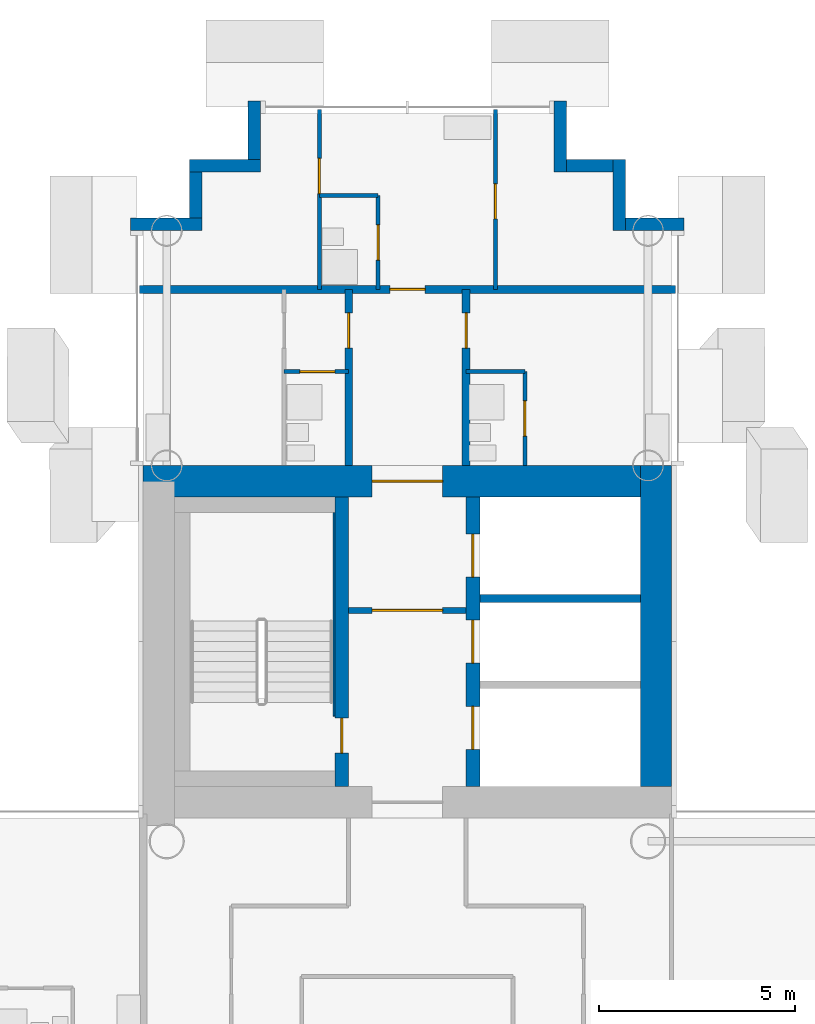
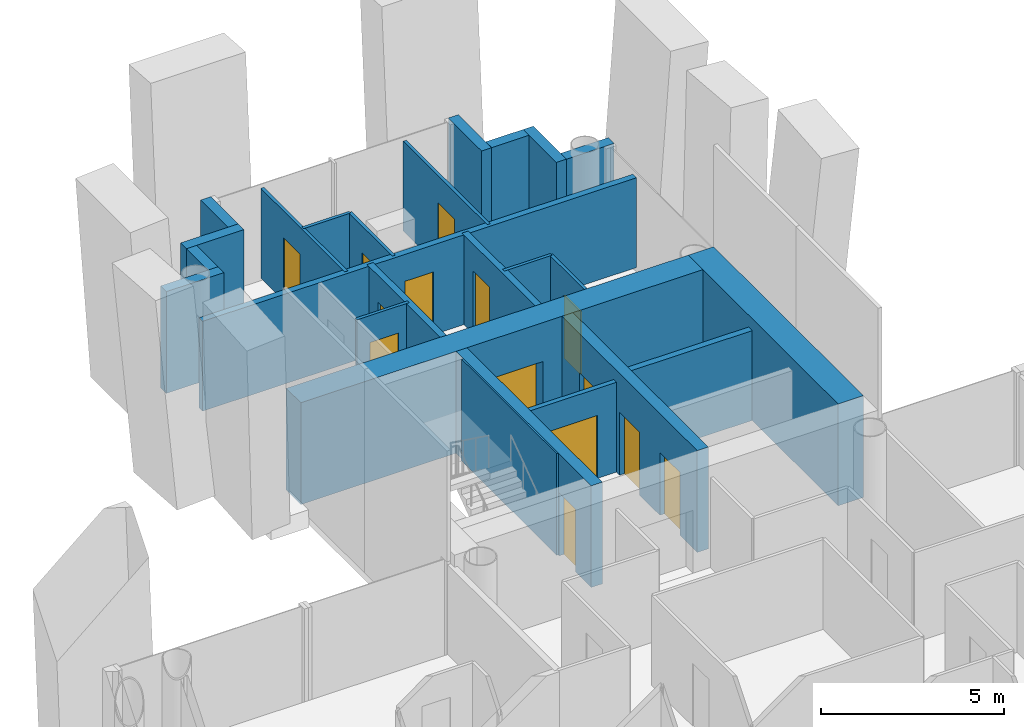
# One storey, part 11 of 18: 25 walls, 14 doors, 14 openings.
"""IFC4 building model written with IfcOpenShell, lengths in metres."""

from ifc_helpers import new_model, si_unit, direction, frame, frame_2d, origin, place, context, subcontext, project, spatial, rectangle, extrude, material, layer, layer_set, type_object, element, fill, save


model = new_model("IFC4")

# Units and contexts
model_context = context("Model", 3, precision=1e-05, world=origin(), true_north=direction((0.0, 1.0)))
body_context = subcontext(model_context, "Body", "Model", "MODEL_VIEW")
ifc_project = project(units=[si_unit("LENGTHUNIT", "METRE"), si_unit("AREAUNIT", "SQUARE_METRE"), si_unit("VOLUMEUNIT", "CUBIC_METRE"), si_unit("PLANEANGLEUNIT", "RADIAN"), si_unit("MASSUNIT", "GRAM", prefix="KILO")], contexts=[model_context])

# Site, building, storey
site_placement = place(None, origin())
site = spatial("IfcSite", under=ifc_project, at=site_placement, CompositionType="ELEMENT")
building_placement = place(site_placement, origin())
building = spatial("IfcBuilding", under=site, at=building_placement, Name="Ipe Terrace Towers", CompositionType="ELEMENT")
storey_placement = place(building_placement, frame((0.0, 0.0, 164.300048828125)))
storey = spatial("IfcBuildingStorey", under=building, at=storey_placement, Name="L45", CompositionType="ELEMENT", Elevation=164.300048828125)

# Walls
ifc_material_1 = material(Name="Concrete C40/50 with buff precast cladding", Category="concrete")
ifc_layer_1 = layer(ifc_material_1, 0.320068359375)
ifc_layer_set_1 = layer_set([ifc_layer_1], Name="BUFF CLADDING WALL 320")
wall_type_1 = type_object("IfcWallType", Name="BUFF CLADDING WALL 320", PredefinedType="STANDARD", material=ifc_layer_set_1)
wall_1_placement = place(storey_placement, frame((43.070068359375, 21.909912109375, -0.300048828125), z_axis=(0.0, 0.0, 1.0), x_axis=(-1.0, 0.0, 0.0)))
element("IfcWall", 1, at=wall_1_placement, inside=storey, type_object=wall_type_1, Name="T2-W-L45-17a wall", PredefinedType="STANDARD", context=body_context, shape_type="SweptSolid", body=[
    extrude(rectangle(XDim=1.5, YDim=0.320068359375, at=frame_2d((0.75, 0.0))), origin(), (0.0, 0.0, 1.0), 3.39990234375),
])
wall_2_placement = place(storey_placement, frame((41.409912109375, 21.75, -0.300048828125), z_axis=(0.0, 0.0, 1.0), x_axis=(0.0, 1.0, 0.0)))
element("IfcWall", 2, at=wall_2_placement, inside=storey, type_object=wall_type_1, Name="T2-W-L45-18a wall", PredefinedType="STANDARD", context=body_context, shape_type="SweptSolid", body=[
    extrude(rectangle(XDim=1.820068359375, YDim=0.320068359375, at=frame_2d((0.91015625, 0.0))), origin(), (0.0, 0.0, 1.0), 3.39990234375),
])
wall_3_placement = place(storey_placement, frame((41.25, 23.409912109375, -0.300048828125), z_axis=(0.0, 0.0, 1.0), x_axis=(-1.0, 0.0, 0.0)))
element("IfcWall", 3, at=wall_3_placement, inside=storey, type_object=wall_type_1, Name="T2-W-L45-19a wall", PredefinedType="STANDARD", context=body_context, shape_type="SweptSolid", body=[
    extrude(rectangle(XDim=1.179931640625, YDim=0.320068359375, at=frame_2d((0.58984375, 0.0))), origin(), (0.0, 0.0, 1.0), 3.39990234375),
])
wall_4_placement = place(storey_placement, frame((39.909912109375, 23.25, -0.300048828125), z_axis=(0.0, 0.0, 1.0), x_axis=(0.0, 1.0, 0.0)))
element("IfcWall", 4, at=wall_4_placement, inside=storey, type_object=wall_type_1, Name="T2-W-L45-20a wall", PredefinedType="STANDARD", context=body_context, shape_type="SweptSolid", body=[
    extrude(rectangle(XDim=1.820068359375, YDim=0.320068359375, at=frame_2d((0.91015625, 0.0))), origin(), (0.0, 0.0, 1.0), 3.39990234375),
])
wall_5_placement = place(storey_placement, frame((32.090087890625, 25.070068359375, -0.300048828125), z_axis=(0.0, 0.0, 1.0), x_axis=(0.0, -1.0, 0.0)))
element("IfcWall", 5, at=wall_5_placement, inside=storey, type_object=wall_type_1, Name="T2-W-L45-22a wall", PredefinedType="STANDARD", context=body_context, shape_type="SweptSolid", body=[
    extrude(rectangle(XDim=1.5, YDim=0.320068359375, at=frame_2d((0.75, 0.0))), origin(), (0.0, 0.0, 1.0), 3.39990234375),
])
wall_6_placement = place(storey_placement, frame((32.25, 23.409912109375, -0.300048828125), z_axis=(0.0, 0.0, 1.0), x_axis=(-1.0, 0.0, 0.0)))
element("IfcWall", 6, at=wall_6_placement, inside=storey, type_object=wall_type_1, Name="T2-W-L45-23a wall", PredefinedType="STANDARD", context=body_context, shape_type="SweptSolid", body=[
    extrude(rectangle(XDim=1.820068359375, YDim=0.320068359375, at=frame_2d((0.91015625, 0.0))), origin(), (0.0, 0.0, 1.0), 3.39990234375),
])
wall_7_placement = place(storey_placement, frame((30.590087890625, 23.25, -0.300048828125), z_axis=(0.0, 0.0, 1.0), x_axis=(0.0, -1.0, 0.0)))
element("IfcWall", 7, at=wall_7_placement, inside=storey, type_object=wall_type_1, Name="T2-W-L45-24a wall", PredefinedType="STANDARD", context=body_context, shape_type="SweptSolid", body=[
    extrude(rectangle(XDim=1.179931640625, YDim=0.320068359375, at=frame_2d((0.58984375, 0.0))), origin(), (0.0, 0.0, 1.0), 3.39990234375),
])
wall_8_placement = place(storey_placement, frame((30.75, 21.909912109375, -0.300048828125), z_axis=(0.0, 0.0, 1.0), x_axis=(-1.0, 0.0, 0.0)))
element("IfcWall", 8, at=wall_8_placement, inside=storey, type_object=wall_type_1, Name="T2-W-L45-25a wall", PredefinedType="STANDARD", context=body_context, shape_type="SweptSolid", body=[
    extrude(rectangle(XDim=1.820068359375, YDim=0.320068359375, at=frame_2d((0.91015625, 0.0))), origin(), (0.0, 0.0, 1.0), 3.39990234375),
])
ifc_material_2 = material(Name="Gypsum board partition", Category="plasterboard")
ifc_layer_2 = layer(ifc_material_2, 0.10009765625)
ifc_layer_set_2 = layer_set([ifc_layer_2], Name="Gypsum board partition 100 mm")
wall_type_2 = type_object("IfcWallType", Name="Gypsum board partition 100 mm", PredefinedType="PARTITIONING", material=ifc_layer_set_2)
wall_9_placement = place(storey_placement, frame((39.0, 18.14990234375, 0.0), z_axis=(0.0, 0.0, 1.0), x_axis=(-1.0, 0.0, 0.0)))
element("IfcWall", 9, at=wall_9_placement, inside=storey, type_object=wall_type_2, Name="Gypsum board partition T2 L45 W17", PredefinedType="PARTITIONING", context=body_context, shape_type="SweptSolid", body=[
    extrude(rectangle(XDim=1.5, YDim=0.10009765625, at=frame_2d((0.75, 0.0))), origin(), (0.0, 0.0, 1.0), 3.0),
])

# Wall, opening, door
wall_10_placement = place(storey_placement, frame((34.5, 18.14990234375, 0.0), z_axis=(0.0, 0.0, 1.0), x_axis=(-1.0, 0.0, 0.0)))
wall_10 = element("IfcWall", 10, at=wall_10_placement, inside=storey, type_object=wall_type_2, Name="Gypsum board partition T2 L45 W18", PredefinedType="PARTITIONING", context=body_context, shape_type="SweptSolid", body=[
    extrude(rectangle(XDim=1.64990234375, YDim=0.10009765625, at=frame_2d((0.824951171875, 0.0))), origin(), (0.0, 0.0, 1.0), 3.0),
])
opening_1_placement = place(wall_10_placement, frame((0.35009765625, 0.0, 0.0)))
opening_1 = element("IfcOpeningElement", 11, at=opening_1_placement, cuts=wall_10, Name="Opening T2-Z3F-18", PredefinedType="OPENING", context=body_context, shape_type="SweptSolid", body=[
    extrude(rectangle(XDim=0.89990234375, YDim=2.10009765625, at=frame_2d((0.449951171875, 1.050048828125))), frame((0.0, 0.06005859375, 0.0), z_axis=(0.0, -1.0, 0.0), x_axis=(1.0, 0.0, 0.0)), (0.0, 0.0, 1.0), 0.1201171875),
])
ifc_material_3 = material(Name="Timber door leaf", Category="wood")
door_type_1 = type_object("IfcDoorType", Name="Bathroom door 900 x 2100", OperationType="NOTDEFINED", PredefinedType="DOOR", material=ifc_material_3)
door_1_placement = place(opening_1_placement, origin())
door_1 = element("IfcDoor", 12, at=door_1_placement, inside=storey, type_object=door_type_1, Name="Bathroom door T2-Z3F-18", OperationType="SINGLE_SWING_RIGHT", OverallHeight=2.10009765625, OverallWidth=0.89990234375, PredefinedType="DOOR", context=body_context, shape_type="SweptSolid", body=[
    extrude(rectangle(XDim=0.89990234375, YDim=2.10009765625, at=frame_2d((0.449951171875, 1.050048828125))), frame((0.0, 0.02490234375, 0.0), z_axis=(0.0, -1.0, 0.0), x_axis=(1.0, 0.0, 0.0)), (0.0, 0.0, 1.0), 0.050048828125),
])
fill(opening_1, door_1)

# Wall
wall_11_placement = place(storey_placement, frame((35.25, 22.64990234375, 0.0), z_axis=(0.0, 0.0, 1.0), x_axis=(-1.0, 0.0, 0.0)))
element("IfcWall", 13, at=wall_11_placement, inside=storey, type_object=wall_type_2, Name="Gypsum board partition T2 L45 W20", PredefinedType="PARTITIONING", context=body_context, shape_type="SweptSolid", body=[
    extrude(rectangle(XDim=1.5, YDim=0.10009765625, at=frame_2d((0.75, 0.0))), origin(), (0.0, 0.0, 1.0), 3.0),
])

# Wall, opening, door
wall_12_placement = place(storey_placement, frame((39.0, 15.75, 0.0), z_axis=(0.0, 0.0, 1.0), x_axis=(0.0, 1.0, 0.0)))
wall_12 = element("IfcWall", 14, at=wall_12_placement, inside=storey, type_object=wall_type_2, Name="Gypsum board partition T2 L45 W28", PredefinedType="PARTITIONING", context=body_context, shape_type="SweptSolid", body=[
    extrude(rectangle(XDim=2.39990234375, YDim=0.10009765625, at=frame_2d((1.199951171875, 0.0))), origin(), (0.0, 0.0, 1.0), 3.0),
])
opening_2_placement = place(wall_12_placement, frame((0.75, 0.0, 0.0)))
opening_2 = element("IfcOpeningElement", 15, at=opening_2_placement, cuts=wall_12, Name="Opening T2-Z3F-20", PredefinedType="OPENING", context=body_context, shape_type="SweptSolid", body=[
    extrude(rectangle(XDim=0.89990234375, YDim=2.10009765625, at=frame_2d((0.449951171875, 1.050048828125))), frame((0.0, 0.06005859375, 0.0), z_axis=(0.0, -1.0, 0.0), x_axis=(1.0, 0.0, 0.0)), (0.0, 0.0, 1.0), 0.1201171875),
])
door_2_placement = place(opening_2_placement, origin())
door_2 = element("IfcDoor", 16, at=door_2_placement, inside=storey, type_object=door_type_1, Name="Bathroom door T2-Z3F-20", OperationType="SINGLE_SWING_LEFT", OverallHeight=2.10009765625, OverallWidth=0.89990234375, PredefinedType="DOOR", context=body_context, shape_type="SweptSolid", body=[
    extrude(rectangle(XDim=0.89990234375, YDim=2.10009765625, at=frame_2d((0.449951171875, 1.050048828125))), frame((0.0, 0.02490234375, 0.0), z_axis=(0.0, -1.0, 0.0), x_axis=(1.0, 0.0, 0.0)), (0.0, 0.0, 1.0), 0.050048828125),
])
fill(opening_2, door_2)

wall_13_placement = place(storey_placement, frame((38.25, 20.25, 0.0), z_axis=(0.0, 0.0, 1.0), x_axis=(0.0, 1.0, 0.0)))
wall_13 = element("IfcWall", 17, at=wall_13_placement, inside=storey, type_object=wall_type_2, Name="Gypsum board partition T2 L45 W30", PredefinedType="PARTITIONING", context=body_context, shape_type="SweptSolid", body=[
    extrude(rectangle(XDim=4.60009765625, YDim=0.10009765625, at=frame_2d((2.300048828125, 0.0))), origin(), (0.0, 0.0, 1.0), 3.0),
])
opening_3_placement = place(wall_13_placement, frame((1.800048828125, 0.0, 0.0)))
opening_3 = element("IfcOpeningElement", 18, at=opening_3_placement, cuts=wall_13, Name="Opening T2-Z3F-24", PredefinedType="OPENING", context=body_context, shape_type="SweptSolid", body=[
    extrude(rectangle(XDim=0.89990234375, YDim=2.10009765625, at=frame_2d((0.449951171875, 1.050048828125))), frame((0.0, 0.06005859375, 0.0), z_axis=(0.0, -1.0, 0.0), x_axis=(1.0, 0.0, 0.0)), (0.0, 0.0, 1.0), 0.1201171875),
])
ifc_material_4 = material(Name="Timber door leaf", Category="wood")
door_type_2 = type_object("IfcDoorType", Name="Lounge door 900 x 2100", OperationType="NOTDEFINED", PredefinedType="DOOR", material=ifc_material_4)
door_3_placement = place(opening_3_placement, origin())
door_3 = element("IfcDoor", 19, at=door_3_placement, inside=storey, type_object=door_type_2, Name="Lounge door T2-Z3F-24", OperationType="SINGLE_SWING_LEFT", OverallHeight=2.10009765625, OverallWidth=0.89990234375, PredefinedType="DOOR", context=body_context, shape_type="SweptSolid", body=[
    extrude(rectangle(XDim=0.89990234375, YDim=2.10009765625, at=frame_2d((0.449951171875, 1.050048828125))), frame((0.0, 0.02490234375, 0.0), z_axis=(0.0, -1.0, 0.0), x_axis=(1.0, 0.0, 0.0)), (0.0, 0.0, 1.0), 0.050048828125),
])
fill(opening_3, door_3)

wall_14_placement = place(storey_placement, frame((35.25, 20.25, 0.0), z_axis=(0.0, 0.0, 1.0), x_axis=(0.0, 1.0, 0.0)))
wall_14 = element("IfcWall", 20, at=wall_14_placement, inside=storey, type_object=wall_type_2, Name="Gypsum board partition T2 L45 W34", PredefinedType="PARTITIONING", context=body_context, shape_type="SweptSolid", body=[
    extrude(rectangle(XDim=2.39990234375, YDim=0.10009765625, at=frame_2d((1.199951171875, 0.0))), origin(), (0.0, 0.0, 1.0), 3.0),
])
opening_4_placement = place(wall_14_placement, frame((0.75, 0.0, 0.0)))
opening_4 = element("IfcOpeningElement", 21, at=opening_4_placement, cuts=wall_14, Name="Opening T2-Z3F-21", PredefinedType="OPENING", context=body_context, shape_type="SweptSolid", body=[
    extrude(rectangle(XDim=0.89990234375, YDim=2.10009765625, at=frame_2d((0.449951171875, 1.050048828125))), frame((0.0, 0.06005859375, 0.0), z_axis=(0.0, -1.0, 0.0), x_axis=(1.0, 0.0, 0.0)), (0.0, 0.0, 1.0), 0.1201171875),
])
door_4_placement = place(opening_4_placement, origin())
door_4 = element("IfcDoor", 22, at=door_4_placement, inside=storey, type_object=door_type_1, Name="Bathroom door T2-Z3F-21", OperationType="SINGLE_SWING_LEFT", OverallHeight=2.10009765625, OverallWidth=0.89990234375, PredefinedType="DOOR", context=body_context, shape_type="SweptSolid", body=[
    extrude(rectangle(XDim=0.89990234375, YDim=2.10009765625, at=frame_2d((0.449951171875, 1.050048828125))), frame((0.0, 0.02490234375, 0.0), z_axis=(0.0, -1.0, 0.0), x_axis=(1.0, 0.0, 0.0)), (0.0, 0.0, 1.0), 0.050048828125),
])
fill(opening_4, door_4)

wall_15_placement = place(storey_placement, frame((33.75, 20.25, 0.0), z_axis=(0.0, 0.0, 1.0), x_axis=(0.0, 1.0, 0.0)))
wall_15 = element("IfcWall", 23, at=wall_15_placement, inside=storey, type_object=wall_type_2, Name="Gypsum board partition T2 L45 W38", PredefinedType="PARTITIONING", context=body_context, shape_type="SweptSolid", body=[
    extrude(rectangle(XDim=4.60009765625, YDim=0.10009765625, at=frame_2d((2.300048828125, 0.0))), origin(), (0.0, 0.0, 1.0), 3.0),
])
opening_5_placement = place(wall_15_placement, frame((2.449951171875, 0.0, 0.0)))
opening_5 = element("IfcOpeningElement", 24, at=opening_5_placement, cuts=wall_15, Name="Opening T2-Z3F-23", PredefinedType="OPENING", context=body_context, shape_type="SweptSolid", body=[
    extrude(rectangle(XDim=0.89990234375, YDim=2.10009765625, at=frame_2d((0.449951171875, 1.050048828125))), frame((0.0, 0.06005859375, 0.0), z_axis=(0.0, -1.0, 0.0), x_axis=(1.0, 0.0, 0.0)), (0.0, 0.0, 1.0), 0.1201171875),
])
door_5_placement = place(opening_5_placement, origin())
door_5 = element("IfcDoor", 25, at=door_5_placement, inside=storey, type_object=door_type_2, Name="Lounge door T2-Z3F-23", OperationType="SINGLE_SWING_LEFT", OverallHeight=2.10009765625, OverallWidth=0.89990234375, PredefinedType="DOOR", context=body_context, shape_type="SweptSolid", body=[
    extrude(rectangle(XDim=0.89990234375, YDim=2.10009765625, at=frame_2d((0.449951171875, 1.050048828125))), frame((0.0, 0.02490234375, 0.0), z_axis=(0.0, -1.0, 0.0), x_axis=(1.0, 0.0, 0.0)), (0.0, 0.0, 1.0), 0.050048828125),
])
fill(opening_5, door_5)

ifc_material_5 = material(Name="Gypsum board partition", Category="plasterboard")
ifc_layer_3 = layer(ifc_material_5, 0.14990234375)
ifc_layer_set_3 = layer_set([ifc_layer_3], Name="Gypsum board partition 150 mm")
wall_type_3 = type_object("IfcWallType", Name="Gypsum board partition 150 mm", PredefinedType="PARTITIONING", material=ifc_layer_set_3)
wall_16_placement = place(storey_placement, frame((37.5, 12.050048828125, 0.0), z_axis=(0.0, 0.0, 1.0), x_axis=(-1.0, 0.0, 0.0)))
wall_16 = element("IfcWall", 26, at=wall_16_placement, inside=storey, type_object=wall_type_3, Name="Gypsum board partition T2 L45 t2c1-lobby-wall", PredefinedType="PARTITIONING", context=body_context, shape_type="SweptSolid", body=[
    extrude(rectangle(XDim=3.0, YDim=0.14990234375, at=frame_2d((1.5, 0.0))), origin(), (0.0, 0.0, 1.0), 3.0),
])
opening_6_placement = place(wall_16_placement, frame((0.60009765625, 0.0, 0.0)))
opening_6 = element("IfcOpeningElement", 27, at=opening_6_placement, cuts=wall_16, Name="Opening T2C1-VD", PredefinedType="OPENING", context=body_context, shape_type="SweptSolid", body=[
    extrude(rectangle(XDim=1.800048828125, YDim=2.10009765625, at=frame_2d((0.89990234375, 1.050048828125))), frame((0.0, 0.0849609375, 0.0), z_axis=(0.0, -1.0, 0.0), x_axis=(1.0, 0.0, 0.0)), (0.0, 0.0, 1.0), 0.169921875),
])
ifc_material_6 = material(Name="Fire-rated timber door leaf", Category="wood")
door_type_3 = type_object("IfcDoorType", Name="Lobby door 1800 x 2100 FD60", OperationType="NOTDEFINED", PredefinedType="DOOR", material=ifc_material_6)
door_6_placement = place(opening_6_placement, origin())
door_6 = element("IfcDoor", 28, at=door_6_placement, inside=storey, type_object=door_type_3, Name="Lobby door T2C1-VD", OperationType="SINGLE_SWING_LEFT", OverallHeight=2.10009765625, OverallWidth=1.800048828125, PredefinedType="DOOR", context=body_context, shape_type="SweptSolid", body=[
    extrude(rectangle(XDim=1.800048828125, YDim=2.10009765625, at=frame_2d((0.89990234375, 1.050048828125))), frame((0.0, 0.02490234375, 0.0), z_axis=(0.0, -1.0, 0.0), x_axis=(1.0, 0.0, 0.0)), (0.0, 0.0, 1.0), 0.050048828125),
])
fill(opening_6, door_6)

# Wall
ifc_material_7 = material(Name="Gypsum board party wall", Category="plasterboard")
ifc_layer_4 = layer(ifc_material_7, 0.199951171875)
ifc_layer_set_4 = layer_set([ifc_layer_4], Name="Gypsum board party wall 200 mm")
wall_type_4 = type_object("IfcWallType", Name="Gypsum board party wall 200 mm", PredefinedType="SOLIDWALL", material=ifc_layer_set_4)
wall_17_placement = place(storey_placement, frame((41.949951171875, 12.35009765625, 0.0), z_axis=(0.0, 0.0, 1.0), x_axis=(-1.0, 0.0, 0.0)))
element("IfcWall", 29, at=wall_17_placement, inside=storey, type_object=wall_type_4, Name="Gypsum board party wall T2 L45 t2c1-shaft-div2", PredefinedType="SOLIDWALL", context=body_context, shape_type="SweptSolid", body=[
    extrude(rectangle(XDim=4.099853515625, YDim=0.199951171875, at=frame_2d((2.0498046875, 0.0))), origin(), (0.0, 0.0, 1.0), 3.0),
])

# Wall, opening, door
wall_18_placement = place(storey_placement, frame((42.85009765625, 20.25, 0.0), z_axis=(0.0, 0.0, 1.0), x_axis=(-1.0, 0.0, 0.0)))
wall_18 = element("IfcWall", 30, at=wall_18_placement, inside=storey, type_object=wall_type_4, Name="Gypsum board party wall T2 L45 W19", PredefinedType="SOLIDWALL", context=body_context, shape_type="SweptSolid", body=[
    extrude(rectangle(XDim=13.7001953125, YDim=0.199951171875, at=frame_2d((6.85009765625, 0.0))), origin(), (0.0, 0.0, 1.0), 3.0),
])
opening_7_placement = place(wall_18_placement, frame((6.39990234375, 0.0, 0.0)))
opening_7 = element("IfcOpeningElement", 31, at=opening_7_placement, cuts=wall_18, Name="Opening T2-Z3F-22", PredefinedType="OPENING", context=body_context, shape_type="SweptSolid", body=[
    extrude(rectangle(XDim=0.89990234375, YDim=2.10009765625, at=frame_2d((0.449951171875, 1.050048828125))), frame((0.0, 0.10986328125, 0.0), z_axis=(0.0, -1.0, 0.0), x_axis=(1.0, 0.0, 0.0)), (0.0, 0.0, 1.0), 0.219970703125),
])
ifc_material_8 = material(Name="Fire-rated timber door leaf", Category="wood")
door_type_4 = type_object("IfcDoorType", Name="Flat entrance door 900 x 2100 FD30S", OperationType="NOTDEFINED", PredefinedType="DOOR", material=ifc_material_8)
door_7_placement = place(opening_7_placement, origin())
door_7 = element("IfcDoor", 32, at=door_7_placement, inside=storey, type_object=door_type_4, Name="Flat entrance door T2-Z3F-22", OperationType="SINGLE_SWING_RIGHT", OverallHeight=2.10009765625, OverallWidth=0.89990234375, PredefinedType="DOOR", context=body_context, shape_type="SweptSolid", body=[
    extrude(rectangle(XDim=0.89990234375, YDim=2.10009765625, at=frame_2d((0.449951171875, 1.050048828125))), frame((0.0, 0.02490234375, 0.0), z_axis=(0.0, -1.0, 0.0), x_axis=(1.0, 0.0, 0.0)), (0.0, 0.0, 1.0), 0.050048828125),
])
fill(opening_7, door_7)

wall_19_placement = place(storey_placement, frame((37.5, 15.75, 0.0), z_axis=(0.0, 0.0, 1.0), x_axis=(0.0, 1.0, 0.0)))
wall_19 = element("IfcWall", 33, at=wall_19_placement, inside=storey, type_object=wall_type_4, Name="Gypsum board party wall T2 L45 W33", PredefinedType="SOLIDWALL", context=body_context, shape_type="SweptSolid", body=[
    extrude(rectangle(XDim=4.5, YDim=0.199951171875, at=frame_2d((2.25, 0.0))), origin(), (0.0, 0.0, 1.0), 3.0),
])
opening_8_placement = place(wall_19_placement, frame((3.0, 0.0, 0.0)))
opening_8 = element("IfcOpeningElement", 34, at=opening_8_placement, cuts=wall_19, Name="Opening T2-Z3F-19", PredefinedType="OPENING", context=body_context, shape_type="SweptSolid", body=[
    extrude(rectangle(XDim=0.89990234375, YDim=2.10009765625, at=frame_2d((0.449951171875, 1.050048828125))), frame((0.0, 0.10986328125, 0.0), z_axis=(0.0, -1.0, 0.0), x_axis=(1.0, 0.0, 0.0)), (0.0, 0.0, 1.0), 0.219970703125),
])
door_8_placement = place(opening_8_placement, origin())
door_8 = element("IfcDoor", 35, at=door_8_placement, inside=storey, type_object=door_type_4, Name="Flat entrance door T2-Z3F-19", OperationType="SINGLE_SWING_RIGHT", OverallHeight=2.10009765625, OverallWidth=0.89990234375, PredefinedType="DOOR", context=body_context, shape_type="SweptSolid", body=[
    extrude(rectangle(XDim=0.89990234375, YDim=2.10009765625, at=frame_2d((0.449951171875, 1.050048828125))), frame((0.0, 0.02490234375, 0.0), z_axis=(0.0, -1.0, 0.0), x_axis=(1.0, 0.0, 0.0)), (0.0, 0.0, 1.0), 0.050048828125),
])
fill(opening_8, door_8)

wall_20_placement = place(storey_placement, frame((34.5, 15.75, 0.0), z_axis=(0.0, 0.0, 1.0), x_axis=(0.0, 1.0, 0.0)))
wall_20 = element("IfcWall", 36, at=wall_20_placement, inside=storey, type_object=wall_type_4, Name="Gypsum board party wall T2 L45 W37", PredefinedType="SOLIDWALL", context=body_context, shape_type="SweptSolid", body=[
    extrude(rectangle(XDim=4.5, YDim=0.199951171875, at=frame_2d((2.25, 0.0))), origin(), (0.0, 0.0, 1.0), 3.0),
])
opening_9_placement = place(wall_20_placement, frame((3.0, 0.0, 0.0)))
opening_9 = element("IfcOpeningElement", 37, at=opening_9_placement, cuts=wall_20, Name="Opening T2-Z3F-16", PredefinedType="OPENING", context=body_context, shape_type="SweptSolid", body=[
    extrude(rectangle(XDim=0.89990234375, YDim=2.10009765625, at=frame_2d((0.449951171875, 1.050048828125))), frame((0.0, 0.10986328125, 0.0), z_axis=(0.0, -1.0, 0.0), x_axis=(1.0, 0.0, 0.0)), (0.0, 0.0, 1.0), 0.219970703125),
])
door_9_placement = place(opening_9_placement, origin())
door_9 = element("IfcDoor", 38, at=door_9_placement, inside=storey, type_object=door_type_4, Name="Flat entrance door T2-Z3F-16", OperationType="SINGLE_SWING_LEFT", OverallHeight=2.10009765625, OverallWidth=0.89990234375, PredefinedType="DOOR", context=body_context, shape_type="SweptSolid", body=[
    extrude(rectangle(XDim=0.89990234375, YDim=2.10009765625, at=frame_2d((0.449951171875, 1.050048828125))), frame((0.0, 0.02490234375, 0.0), z_axis=(0.0, -1.0, 0.0), x_axis=(1.0, 0.0, 0.0)), (0.0, 0.0, 1.0), 0.050048828125),
])
fill(opening_9, door_9)

ifc_material_9 = material(Name="Concrete C50/60", Category="concrete")
ifc_layer_5 = layer(ifc_material_9, 0.35009765625)
ifc_layer_set_5 = layer_set([ifc_layer_5], Name="RW350 CORE SPINE WALL 350 C50-60")
wall_type_5 = type_object("IfcWallType", Name="RW350 CORE SPINE WALL 350 C50-60", PredefinedType="SHEAR", material=ifc_layer_set_5)
wall_21_placement = place(storey_placement, frame((34.324951171875, 7.550048828125, 0.0), z_axis=(0.0, 0.0, 1.0), x_axis=(0.0, 1.0, 0.0)))
wall_21 = element("IfcWall", 39, at=wall_21_placement, inside=storey, type_object=wall_type_5, Name="Core spine wall T2-C1-Z3-SW1", PredefinedType="SHEAR", context=body_context, shape_type="SweptSolid", body=[
    extrude(rectangle(XDim=7.39990234375, YDim=0.35009765625, at=frame_2d((3.699951171875, 0.0))), origin(), (0.0, 0.0, 1.0), 3.39990234375),
])
opening_10_placement = place(wall_21_placement, frame((0.85009765625, 0.0, 0.0)))
opening_10 = element("IfcOpeningElement", 40, at=opening_10_placement, cuts=wall_21, Name="Opening T2C1-SD", PredefinedType="OPENING", context=body_context, shape_type="SweptSolid", body=[
    extrude(rectangle(XDim=0.89990234375, YDim=2.10009765625, at=frame_2d((0.449951171875, 1.050048828125))), frame((0.0, 0.18505859375, 0.0), z_axis=(0.0, -1.0, 0.0), x_axis=(1.0, 0.0, 0.0)), (0.0, 0.0, 1.0), 0.3701171875),
])
ifc_material_10 = material(Name="Fire-rated timber door leaf", Category="wood")
door_type_5 = type_object("IfcDoorType", Name="Stair door 900 x 2100 FD60", OperationType="NOTDEFINED", PredefinedType="DOOR", material=ifc_material_10)
door_10_placement = place(opening_10_placement, origin())
door_10 = element("IfcDoor", 41, at=door_10_placement, inside=storey, type_object=door_type_5, Name="Stair door T2C1-SD", OperationType="SINGLE_SWING_LEFT", OverallHeight=2.10009765625, OverallWidth=0.89990234375, PredefinedType="DOOR", context=body_context, shape_type="SweptSolid", body=[
    extrude(rectangle(XDim=0.89990234375, YDim=2.10009765625, at=frame_2d((0.449951171875, 1.050048828125))), frame((0.0, 0.02490234375, 0.0), z_axis=(0.0, -1.0, 0.0), x_axis=(1.0, 0.0, 0.0)), (0.0, 0.0, 1.0), 0.050048828125),
])
fill(opening_10, door_10)

# Wall, openings, doors
wall_22_placement = place(storey_placement, frame((37.675048828125, 7.550048828125, 0.0), z_axis=(0.0, 0.0, 1.0), x_axis=(0.0, 1.0, 0.0)))
wall_22 = element("IfcWall", 42, at=wall_22_placement, inside=storey, type_object=wall_type_5, Name="Core spine wall T2-C1-Z3-SW2", PredefinedType="SHEAR", context=body_context, shape_type="SweptSolid", body=[
    extrude(rectangle(XDim=7.39990234375, YDim=0.35009765625, at=frame_2d((3.699951171875, 0.0))), origin(), (0.0, 0.0, 1.0), 3.39990234375),
])
opening_11_placement = place(wall_22_placement, frame((0.949951171875, 0.0, 0.0)))
opening_11 = element("IfcOpeningElement", 43, at=opening_11_placement, cuts=wall_22, Name="Opening T2C1-LD1", PredefinedType="OPENING", context=body_context, shape_type="SweptSolid", body=[
    extrude(rectangle(XDim=1.10009765625, YDim=2.10009765625, at=frame_2d((0.550048828125, 1.050048828125))), frame((0.0, 0.18505859375, 0.0), z_axis=(0.0, -1.0, 0.0), x_axis=(1.0, 0.0, 0.0)), (0.0, 0.0, 1.0), 0.3701171875),
])
opening_12_placement = place(wall_22_placement, frame((3.14990234375, 0.0, 0.0)))
opening_12 = element("IfcOpeningElement", 44, at=opening_12_placement, cuts=wall_22, Name="Opening T2C1-LD2", PredefinedType="OPENING", context=body_context, shape_type="SweptSolid", body=[
    extrude(rectangle(XDim=1.10009765625, YDim=2.10009765625, at=frame_2d((0.550048828125, 1.050048828125))), frame((0.0, 0.18505859375, 0.0), z_axis=(0.0, -1.0, 0.0), x_axis=(1.0, 0.0, 0.0)), (0.0, 0.0, 1.0), 0.3701171875),
])
opening_13_placement = place(wall_22_placement, frame((5.35009765625, 0.0, 0.0)))
opening_13 = element("IfcOpeningElement", 45, at=opening_13_placement, cuts=wall_22, Name="Opening T2C1-LD3", PredefinedType="OPENING", context=body_context, shape_type="SweptSolid", body=[
    extrude(rectangle(XDim=1.10009765625, YDim=2.10009765625, at=frame_2d((0.550048828125, 1.050048828125))), frame((0.0, 0.18505859375, 0.0), z_axis=(0.0, -1.0, 0.0), x_axis=(1.0, 0.0, 0.0)), (0.0, 0.0, 1.0), 0.3701171875),
])
ifc_material_11 = material(Name="Fire-rated timber door leaf", Category="wood")
door_type_6 = type_object("IfcDoorType", Name="Sliding door 1100 x 2100 FD60", OperationType="SLIDING_TO_LEFT", PredefinedType="DOOR", material=ifc_material_11)
door_11_placement = place(opening_11_placement, origin())
door_11 = element("IfcDoor", 46, at=door_11_placement, inside=storey, type_object=door_type_6, Name="Sliding door T2C1-LD1", OperationType="SLIDING_TO_LEFT", OverallHeight=2.10009765625, OverallWidth=1.10009765625, PredefinedType="DOOR", context=body_context, shape_type="SweptSolid", body=[
    extrude(rectangle(XDim=1.10009765625, YDim=2.10009765625, at=frame_2d((0.550048828125, 1.050048828125))), frame((0.0, 0.02490234375, 0.0), z_axis=(0.0, -1.0, 0.0), x_axis=(1.0, 0.0, 0.0)), (0.0, 0.0, 1.0), 0.050048828125),
])
fill(opening_11, door_11)
door_12_placement = place(opening_12_placement, origin())
door_12 = element("IfcDoor", 47, at=door_12_placement, inside=storey, type_object=door_type_6, Name="Sliding door T2C1-LD2", OperationType="SLIDING_TO_LEFT", OverallHeight=2.10009765625, OverallWidth=1.10009765625, PredefinedType="DOOR", context=body_context, shape_type="SweptSolid", body=[
    extrude(rectangle(XDim=1.10009765625, YDim=2.10009765625, at=frame_2d((0.550048828125, 1.050048828125))), frame((0.0, 0.02490234375, 0.0), z_axis=(0.0, -1.0, 0.0), x_axis=(1.0, 0.0, 0.0)), (0.0, 0.0, 1.0), 0.050048828125),
])
fill(opening_12, door_12)
door_13_placement = place(opening_13_placement, origin())
door_13 = element("IfcDoor", 48, at=door_13_placement, inside=storey, type_object=door_type_6, Name="Sliding door T2C1-LD3", OperationType="SLIDING_TO_LEFT", OverallHeight=2.10009765625, OverallWidth=1.10009765625, PredefinedType="DOOR", context=body_context, shape_type="SweptSolid", body=[
    extrude(rectangle(XDim=1.10009765625, YDim=2.10009765625, at=frame_2d((0.550048828125, 1.050048828125))), frame((0.0, 0.02490234375, 0.0), z_axis=(0.0, -1.0, 0.0), x_axis=(1.0, 0.0, 0.0)), (0.0, 0.0, 1.0), 0.050048828125),
])
fill(opening_13, door_13)

# Walls
ifc_material_12 = material(Name="Concrete C50/60", Category="concrete")
ifc_layer_6 = layer(ifc_material_12, 0.050048828125)
ifc_layer_set_6 = layer_set([ifc_layer_6], Name="RW50 CORE INFILL WALL 50 C50-60")
wall_type_6 = type_object("IfcWallType", Name="RW50 CORE INFILL WALL 50 C50-60", PredefinedType="SHEAR", material=ifc_layer_set_6)
wall_23_placement = place(storey_placement, frame((34.125, 9.35009765625, 0.0), z_axis=(0.0, 0.0, 1.0), x_axis=(0.0, 1.0, 0.0)))
element("IfcWall", 49, at=wall_23_placement, inside=storey, type_object=wall_type_6, Name="Core infill wall T2-C1-spine-b", PredefinedType="SHEAR", context=body_context, shape_type="SweptSolid", body=[
    extrude(rectangle(XDim=5.199951171875, YDim=0.050048828125, at=frame_2d((2.60009765625, 0.0))), origin(), (0.0, 0.0, 1.0), 3.39990234375),
])
ifc_material_13 = material(Name="Concrete C50/60", Category="concrete")
ifc_layer_7 = layer(ifc_material_13, 0.800048828125)
ifc_layer_set_7 = layer_set([ifc_layer_7], Name="RW800 CORE WALL 800 C50-60")
wall_type_7 = type_object("IfcWallType", Name="RW800 CORE WALL 800 C50-60", PredefinedType="SHEAR", material=ifc_layer_set_7)
wall_24_placement = place(storey_placement, frame((42.35009765625, 7.550048828125, 0.0), z_axis=(0.0, 0.0, 1.0), x_axis=(0.0, 1.0, 0.0)))
element("IfcWall", 50, at=wall_24_placement, inside=storey, type_object=wall_type_7, Name="Core wall T2-C1-Z3-W02", PredefinedType="SHEAR", context=body_context, shape_type="SweptSolid", body=[
    extrude(rectangle(XDim=8.199951171875, YDim=0.800048828125, at=frame_2d((4.10009765625, 0.0))), origin(), (0.0, 0.0, 1.0), 3.39990234375),
])

# Wall, opening, door
wall_25_placement = place(storey_placement, frame((41.949951171875, 15.35009765625, 0.0), z_axis=(0.0, 0.0, 1.0), x_axis=(-1.0, 0.0, 0.0)))
wall_25 = element("IfcWall", 51, at=wall_25_placement, inside=storey, type_object=wall_type_7, Name="Core wall T2-C1-Z3-W03", PredefinedType="SHEAR", context=body_context, shape_type="SweptSolid", body=[
    extrude(rectangle(XDim=12.699951171875, YDim=0.800048828125, at=frame_2d((6.35009765625, 0.0))), origin(), (0.0, 0.0, 1.0), 3.39990234375),
])
opening_14_placement = place(wall_25_placement, frame((5.050048828125, 0.0, 0.0)))
opening_14 = element("IfcOpeningElement", 52, at=opening_14_placement, cuts=wall_25, Name="Opening T2C1-FD", PredefinedType="OPENING", context=body_context, shape_type="SweptSolid", body=[
    extrude(rectangle(XDim=1.800048828125, YDim=2.10009765625, at=frame_2d((0.89990234375, 1.050048828125))), frame((0.0, 0.41015625, 0.0), z_axis=(0.0, -1.0, 0.0), x_axis=(1.0, 0.0, 0.0)), (0.0, 0.0, 1.0), 0.820068359375),
])
ifc_material_14 = material(Name="Fire-rated timber door leaf", Category="wood")
door_type_7 = type_object("IfcDoorType", Name="Fire door 1800 x 2100 FD30S", OperationType="NOTDEFINED", PredefinedType="DOOR", material=ifc_material_14)
door_14_placement = place(opening_14_placement, origin())
door_14 = element("IfcDoor", 53, at=door_14_placement, inside=storey, type_object=door_type_7, Name="Fire door T2C1-FD", OperationType="SINGLE_SWING_LEFT", OverallHeight=2.10009765625, OverallWidth=1.800048828125, PredefinedType="DOOR", context=body_context, shape_type="SweptSolid", body=[
    extrude(rectangle(XDim=1.800048828125, YDim=2.10009765625, at=frame_2d((0.89990234375, 1.050048828125))), frame((0.0, 0.02490234375, 0.0), z_axis=(0.0, -1.0, 0.0), x_axis=(1.0, 0.0, 0.0)), (0.0, 0.0, 1.0), 0.050048828125),
])
fill(opening_14, door_14)

save(model, "model.ifc")
